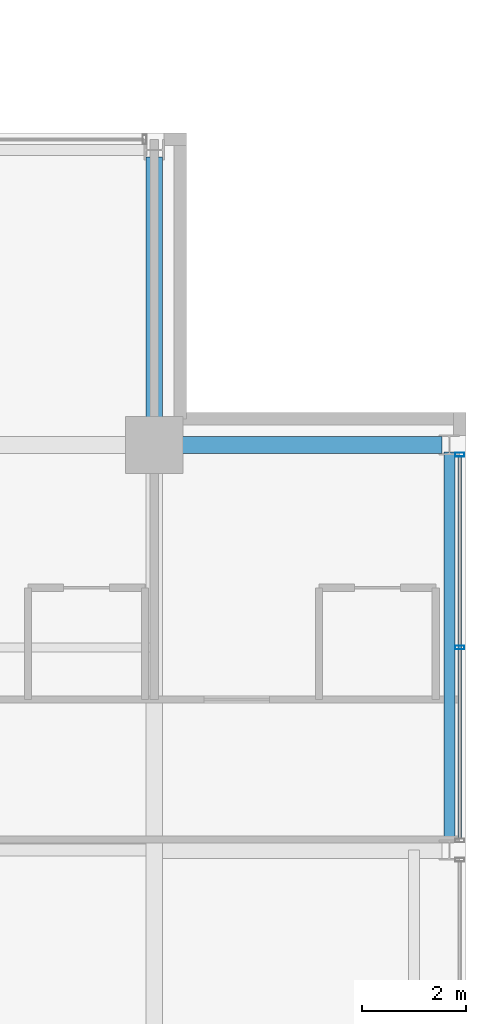
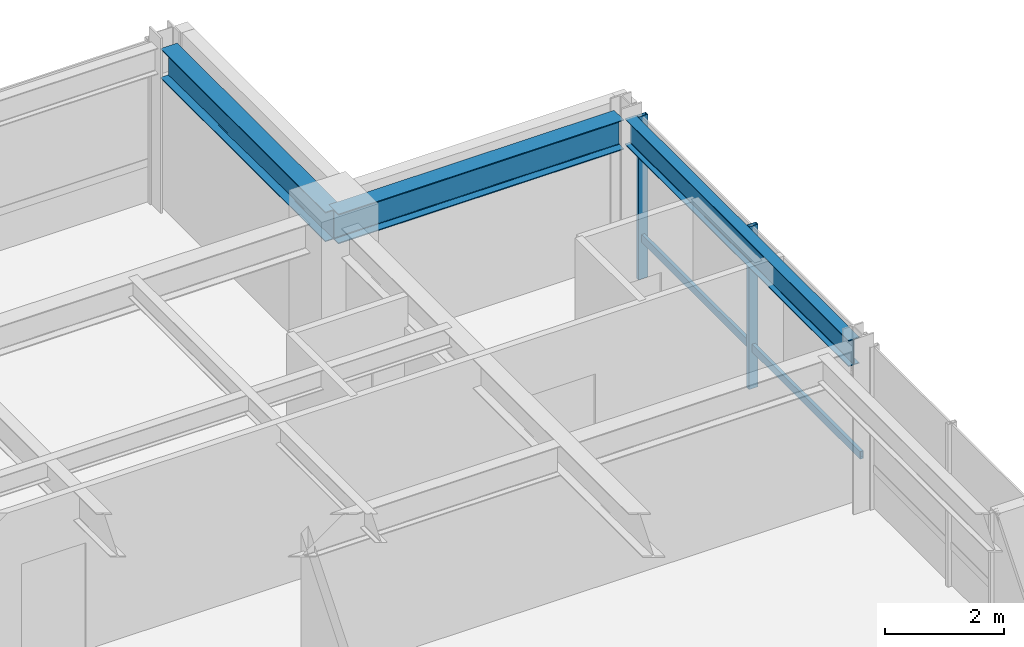
# One storey, part 22 of 31: 3 beams, 3 members, 1 element without a shape of its own.
"""IFC4 building model written with IfcOpenShell, lengths in metres."""

from ifc_helpers import new_model, si_unit, direction, frame, origin, origin_2d, place, context, subcontext, project, spatial, hollow_rectangle, i_section, extrude, material, layer, layer_set, material_profile, profile_set, type_object, element, aggregate, save


model = new_model("IFC4")

# Units and contexts
model_context = context("Model", 3, precision=1e-05, world=origin(), true_north=direction((0.0, 1.0)))
body_context = subcontext(model_context, "Body", "Model", "MODEL_VIEW")
ifc_project = project(units=[si_unit("LENGTHUNIT", "METRE"), si_unit("AREAUNIT", "SQUARE_METRE"), si_unit("VOLUMEUNIT", "CUBIC_METRE"), si_unit("PLANEANGLEUNIT", "RADIAN"), si_unit("MASSUNIT", "GRAM", prefix="KILO")], contexts=[model_context])

# Site, building, storey
site_placement = place(None, origin())
site = spatial("IfcSite", under=ifc_project, at=site_placement, CompositionType="ELEMENT")
building_placement = place(site_placement, origin())
building = spatial("IfcBuilding", under=site, at=building_placement, Name="Drelvath Grand Hotel", CompositionType="ELEMENT")
storey_placement = place(building_placement, frame((0.0, 0.0, 219.5)))
storey = spatial("IfcBuildingStorey", under=building, at=storey_placement, Name="L57", CompositionType="ELEMENT", Elevation=219.5)

# Curtain wall, members
ifc_material_1 = material(Name="Platinum-Mist Anodised Aluminium Frame", Category="aluminium")
ifc_layer = layer(ifc_material_1, 0.199951171875)
ifc_layer_set = layer_set([ifc_layer], Name="Platinum-Mist Anodised Aluminium Frame")
curtain_wall_type = type_object("IfcCurtainWallType", Name="Stick Curtain Wall CW-05 Platinum Mist High-Rise", PredefinedType="NOTDEFINED", material=ifc_layer_set)
curtain_wall_placement = place(storey_placement, origin())
curtain_wall = element("IfcCurtainWall", 1, at=curtain_wall_placement, inside=storey, type_object=curtain_wall_type, Name="L57 CW-05 Curtain Wall CW05-L57-EN2", PredefinedType="NOTDEFINED")
ifc_material_profile_1 = material_profile(ifc_material_1, hollow_rectangle(XDim=0.06494140625, YDim=0.159912109375, WallThickness=0.00390625, at=origin_2d()), Name="HSS160X65X4")
ifc_profile_set_1 = profile_set([ifc_material_profile_1], Name="Platinum-Mist Anodised Aluminium Frame")
member_type_1 = type_object("IfcMemberType", Name="Curtain Wall Horizontal Transom CW-05 HSS160X65X4", PredefinedType="USERDEFINED", material=ifc_profile_set_1)
member_1_placement = place(storey_placement, frame((22.080078125, 42.974609375, 0.8349609375), z_axis=(0.0, -1.0, 0.0), x_axis=(1.0, 0.0, 0.0)))
member_1 = element("IfcMember", 2, at=member_1_placement, type_object=member_type_1, Name="CW05-L57-EN2 Sill Transom", ObjectType="TRANSOM", PredefinedType="USERDEFINED", context=body_context, shape_type="SweptSolid", body=[
    extrude(hollow_rectangle(XDim=0.06494140625, YDim=0.159912109375, WallThickness=0.00390625, at=origin_2d()), origin(), (0.0, 0.0, 1.0), 7.349365234375),
])
ifc_material_profile_2 = material_profile(ifc_material_1, hollow_rectangle(XDim=0.074951171875, YDim=0.179931640625, WallThickness=0.0048828125, at=origin_2d()), Name="HSS180X75X5")
ifc_profile_set_2 = profile_set([ifc_material_profile_2], Name="Platinum-Mist Anodised Aluminium Frame")
member_type_2 = type_object("IfcMemberType", Name="Curtain Wall Vertical Mullion CW-05 HSS180X75X5", PredefinedType="MULLION", material=ifc_profile_set_2)
member_2_placement = place(storey_placement, frame((22.080078125, 43.0146484375, 0.0), z_axis=(0.0, 0.0, 1.0), x_axis=(0.0, 1.0, 0.0)))
member_2 = element("IfcMember", 3, at=member_2_placement, type_object=member_type_2, Name="CW05-L57-EN2 Mullion 1", PredefinedType="MULLION", context=body_context, shape_type="SweptSolid", body=[
    extrude(hollow_rectangle(XDim=0.074951171875, YDim=0.179931640625, WallThickness=0.0048828125, at=origin_2d()), origin(), (0.0, 0.0, 1.0), 3.340087890625),
])
member_3_placement = place(storey_placement, frame((22.080078125, 39.300048828125, 0.0), z_axis=(0.0, 0.0, 1.0), x_axis=(0.0, 1.0, 0.0)))
member_3 = element("IfcMember", 4, at=member_3_placement, type_object=member_type_2, Name="CW05-L57-EN2 Mullion 2", PredefinedType="MULLION", context=body_context, shape_type="SweptSolid", body=[
    extrude(hollow_rectangle(XDim=0.074951171875, YDim=0.179931640625, WallThickness=0.0048828125, at=origin_2d()), origin(), (0.0, 0.0, 1.0), 3.340087890625),
])
aggregate(curtain_wall, [member_2, member_3, member_1])

# Beams
ifc_material_2 = material(Name="Steel ASTM A992 Gr 50", Category="steel")
ifc_material_profile_3 = material_profile(ifc_material_2, i_section(OverallWidth=0.210205078125, OverallDepth=0.53662109375, WebThickness=0.010986328125, FlangeThickness=0.017333984375, FilletRadius=0.01806640625, at=origin_2d()), Name="W21X68")
ifc_profile_set_3 = profile_set([ifc_material_profile_3], Name="Steel ASTM A992 Gr 50")
beam_type_1 = type_object("IfcBeamType", Name="Perimeter Spandrel Beam W21X68", PredefinedType="SPANDREL", material=ifc_profile_set_3)
beam_placement = place(storey_placement, frame((21.8798828125, 35.5400390625, 3.07177734375), z_axis=(0.0, 1.0, 0.0), x_axis=(-1.0, 0.0, 0.0)))
element("IfcBeam", 5, at=beam_placement, inside=storey, type_object=beam_type_1, Name="L57 Spandrel East N", PredefinedType="SPANDREL", context=body_context, shape_type="SweptSolid", body=[
    extrude(i_section(OverallWidth=0.210205078125, OverallDepth=0.53662109375, WebThickness=0.010986328125, FlangeThickness=0.017333984375, FilletRadius=0.01806640625, at=origin_2d()), origin(), (0.0, 0.0, 1.0), 7.52001953125),
])
ifc_material_profile_4 = material_profile(ifc_material_2, i_section(OverallWidth=0.323974609375, OverallDepth=0.611083984375, WebThickness=0.0126953125, FlangeThickness=0.01904296875, FilletRadius=0.02197265625, at=origin_2d()), Name="W24X104")
ifc_profile_set_4 = profile_set([ifc_material_profile_4], Name="Steel ASTM A992 Gr 50")
beam_type_2 = type_object("IfcBeamType", Name="Primary Floor Girder W24X104", PredefinedType="BEAM", material=ifc_profile_set_4)
for number, where, z_axis, x_axis, name in (
    (6, (16.199951171875, 43.199951171875, 3.034423828125), (1.0, 0.0, 0.0), (0.0, 1.0, 0.0), "L57 East Grid Girder G"),
    (7, (16.199951171875, 43.199951171875, 3.034423828125), (0.0, 1.0, 0.0), (-1.0, 0.0, 0.0), "L57 North Grid Girder 7"),
):
    element("IfcBeam", number, at=place(storey_placement, frame(where, z_axis=z_axis, x_axis=x_axis)), inside=storey, type_object=beam_type_2, Name=name, PredefinedType="BEAM", context=body_context, shape_type="SweptSolid", body=[
        extrude(i_section(OverallWidth=0.323974609375, OverallDepth=0.611083984375, WebThickness=0.0126953125, FlangeThickness=0.01904296875, FilletRadius=0.02197265625, at=origin_2d()), origin(), (0.0, 0.0, 1.0), 5.5400390625),
    ])

save(model, "model.ifc")
